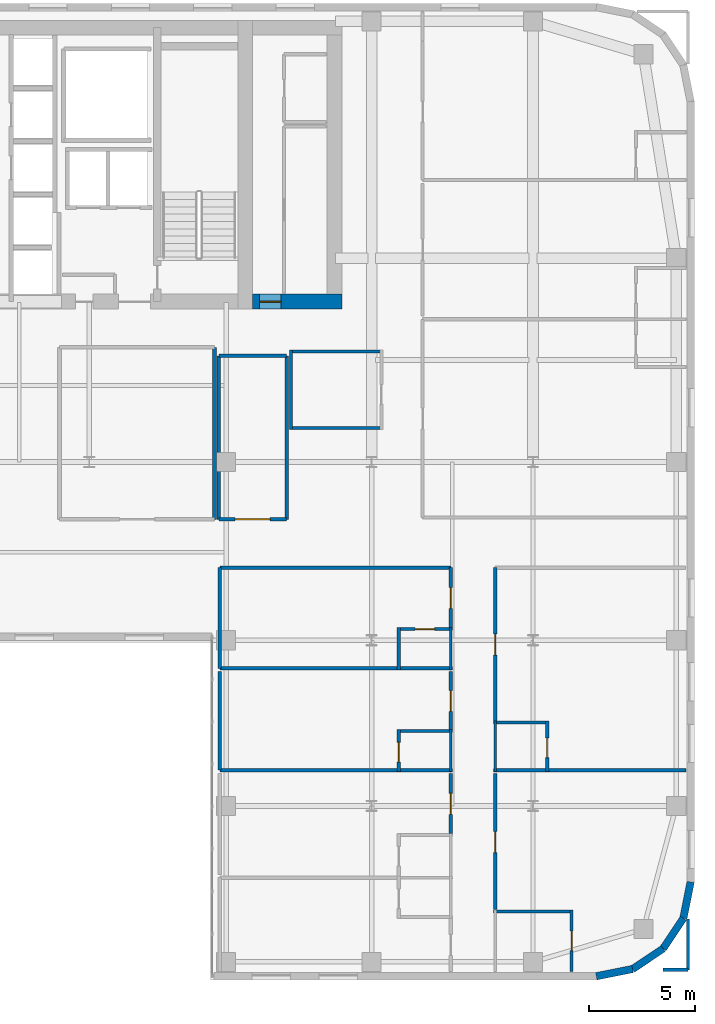
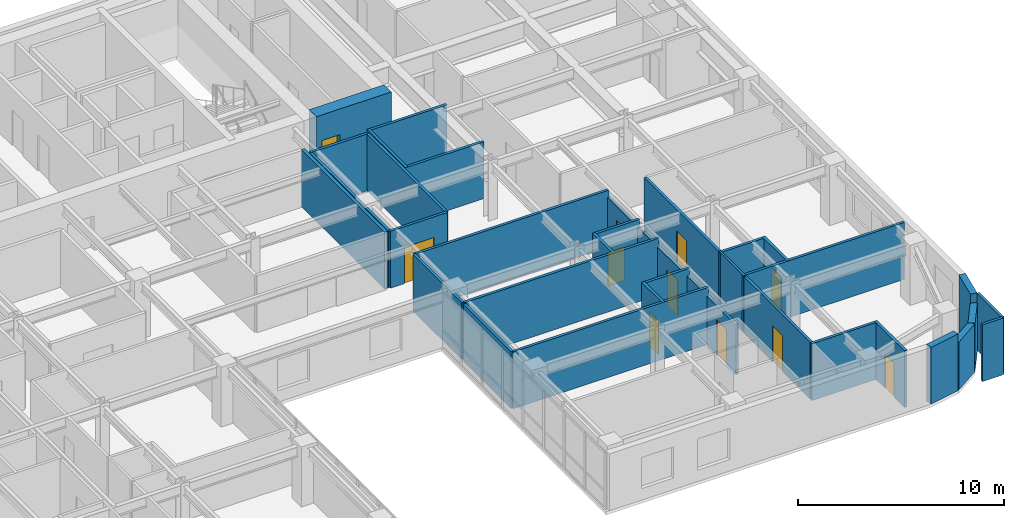
# One storey, part 12 of 16: 37 walls, 11 doors, 11 openings.
"""IFC4 building model written with IfcOpenShell, lengths in metres."""

from ifc_helpers import new_model, si_unit, direction, frame, frame_2d, origin, place, context, subcontext, project, spatial, rectangle, extrude, source, transform, mapped, material, layer, layer_set, type_object, type_shapes, element, fill, save


model = new_model("IFC4")

# Units and contexts
model_context = context("Model", 3, precision=1e-05, world=origin(), true_north=direction((0.0, 1.0)))
body_context = subcontext(model_context, "Body", "Model", "MODEL_VIEW")
ifc_project = project(units=[si_unit("LENGTHUNIT", "METRE"), si_unit("AREAUNIT", "SQUARE_METRE"), si_unit("VOLUMEUNIT", "CUBIC_METRE"), si_unit("PLANEANGLEUNIT", "RADIAN"), si_unit("MASSUNIT", "GRAM", prefix="KILO")], contexts=[model_context])

# Site, building, storey
site_placement = place(None, origin())
site = spatial("IfcSite", under=ifc_project, at=site_placement, CompositionType="ELEMENT")
building_placement = place(site_placement, origin())
building = spatial("IfcBuilding", under=site, at=building_placement, Name="Tolvann Quenvar Hotel", CompositionType="ELEMENT")
storey_placement = place(building_placement, frame((0.0, 0.0, 115.10009765625)))
storey = spatial("IfcBuildingStorey", under=building, at=storey_placement, Name="L29", CompositionType="ELEMENT", Elevation=115.10009765625)

# Wall, opening, door
ifc_material_1 = material(Name="Concrete S65 (65 MPa)", Category="concrete")
ifc_layer_1 = layer(ifc_material_1, 0.699951171875)
ifc_layer_set_1 = layer_set([ifc_layer_1], Name="Concrete S65 (65 MPa)")
wall_type_1 = type_object("IfcWallType", Name="WALL_CORE_700", PredefinedType="SHEAR", material=ifc_layer_set_1)
wall_1_placement = place(storey_placement, frame((36.199951171875, 31.949951171875, 0.0), z_axis=(0.0, 0.0, 1.0), x_axis=(1.0, 0.0, 0.0)))
wall_1 = element("IfcWall", 1, at=wall_1_placement, inside=storey, type_object=wall_type_1, Name="Core East Annex Shear Wall ANN-S (L29)", PredefinedType="SHEAR", context=body_context, shape_type="SweptSolid", body=[
    extrude(rectangle(XDim=4.199951171875, YDim=0.699951171875, at=frame_2d((2.10009765625, 0.0))), origin(), (0.0, 0.0, 1.0), 3.5498046875),
])
opening_1_placement = place(wall_1_placement, frame((1.340087890625, 0.0, 0.0), z_axis=(0.0, 0.0, 1.0), x_axis=(-1.0, 0.0, 0.0)))
opening_1 = element("IfcOpeningElement", 2, at=opening_1_placement, cuts=wall_1, Name="Opening HD-01", PredefinedType="OPENING", context=body_context, shape_type="SweptSolid", body=[
    extrude(rectangle(XDim=1.02001953125, YDim=2.030029296875, at=frame_2d((0.510009765625, 1.01513671875))), frame((0.0, 0.35986328125, 0.0), z_axis=(0.0, -1.0, 0.0), x_axis=(1.0, 0.0, 0.0)), (0.0, 0.0, 1.0), 0.719970703125),
])
ifc_material_2 = material(Name="Pressed galvanised steel fire-rated door set", Category="steel")
door_type_1 = type_object("IfcDoorType", Name="DOOR_BOH_1020", OperationType="NOTDEFINED", PredefinedType="DOOR", material=ifc_material_2)
shared_shape_1 = source(origin(), body_context, "Body", "SweptSolid", [
    extrude(rectangle(XDim=1.02001953125, YDim=2.030029296875, at=frame_2d((0.510009765625, 1.01513671875))), frame((0.0, 0.02490234375, 0.0), z_axis=(0.0, -1.0, 0.0), x_axis=(1.0, 0.0, 0.0)), (0.0, 0.0, 1.0), 0.050048828125),
])
type_shapes(door_type_1, [shared_shape_1])
door_1_placement = place(opening_1_placement, origin())
door_1 = element("IfcDoor", 3, at=door_1_placement, inside=storey, type_object=door_type_1, Name="Housekeeping Annex Fire Door (L29)", OperationType="SINGLE_SWING_LEFT", OverallHeight=2.030029296875, OverallWidth=1.02001953125, PredefinedType="DOOR", context=body_context, shape_type="MappedRepresentation", body=[
    mapped(shared_shape_1, transform((0.0, 0.0, 0.0), x_axis=(1.0, 0.0, 0.0), y_axis=(0.0, 1.0, 0.0), z_axis=(0.0, 0.0, 1.0), scale=1.0)),
])
fill(opening_1, door_1)

# Walls
ifc_material_3 = material(Name="Kiln-fired red and buff architectural clay brickwork and terracotta masonry", Category="masonry")
ifc_layer_2 = layer(ifc_material_3, 0.35009765625)
ifc_layer_set_2 = layer_set([ifc_layer_2], Name="Kiln-fired red and buff architectural clay brickwork and terracotta masonry")
wall_type_2 = type_object("IfcWallType", Name="WALL_EXT_BRICK_350", PredefinedType="SOLIDWALL", material=ifc_layer_set_2)
wall_2_placement = place(storey_placement, frame((52.3828125, 0.175048828125, 0.0), z_axis=(0.0, 0.0, 1.0), x_axis=(0.980800971659, 0.195011420161, 0.0)))
element("IfcWall", 4, at=wall_2_placement, inside=storey, type_object=wall_type_2, Name="Exterior Chicago Brick Wall L29-E09", PredefinedType="SOLIDWALL", context=body_context, shape_type="SweptSolid", body=[
    extrude(rectangle(XDim=1.74267578125, YDim=0.35009765625, at=frame_2d((0.871337890625, 0.0))), origin(), (0.0, 0.0, 1.0), 3.369873046875),
])
for number, where, z_axis, x_axis, name in (
    (5, (54.092041015625, 0.514892578125, 0.0), (0.0, 0.0, 1.0), (0.831483840845, 0.55554893791, 0.0), "Exterior Chicago Brick Wall L29-E10"),
    (6, (55.526611328125, 1.473388671875, 0.0), (0.0, 0.0, 1.0), (0.55554893791, 0.831483840845, 0.0), "Exterior Chicago Brick Wall L29-E11"),
):
    element("IfcWall", number, at=place(storey_placement, frame(where, z_axis=z_axis, x_axis=x_axis)), inside=storey, type_object=wall_type_2, Name=name, PredefinedType="SOLIDWALL", context=body_context, shape_type="SweptSolid", body=[
        extrude(rectangle(XDim=1.725341796875, YDim=0.35009765625, at=frame_2d((0.86279296875, 0.0))), origin(), (0.0, 0.0, 1.0), 2.831787109375),
    ])
wall_3_placement = place(storey_placement, frame((56.485107421875, 2.907958984375, 0.0), z_axis=(0.0, 0.0, 1.0), x_axis=(0.195011420161, 0.980800971659, 0.0)))
element("IfcWall", 7, at=wall_3_placement, inside=storey, type_object=wall_type_2, Name="Exterior Chicago Brick Wall L29-E12", PredefinedType="SOLIDWALL", context=body_context, shape_type="SweptSolid", body=[
    extrude(rectangle(XDim=1.74267578125, YDim=0.35009765625, at=frame_2d((0.871337890625, 0.0))), origin(), (0.0, 0.0, 1.0), 3.369873046875),
])
ifc_material_4 = material(Name="Acoustic twin-stud fire-rated gypsum plasterboard partition")
ifc_layer_3 = layer(ifc_material_4, 0.179931640625)
ifc_layer_set_3 = layer_set([ifc_layer_3], Name="Acoustic twin-stud fire-rated gypsum plasterboard partition")
wall_type_3 = type_object("IfcWallType", Name="WALL_PART_ACOUSTIC_180", PredefinedType="PARTITIONING", material=ifc_layer_set_3)
wall_4_placement = place(storey_placement, frame((34.39990234375, 21.699951171875, 0.0), z_axis=(0.0, 0.0, 1.0), x_axis=(0.0, 1.0, 0.0)))
element("IfcWall", 8, at=wall_4_placement, inside=storey, type_object=wall_type_3, Name="Interior Partition PT-SPC-L29-MSP-C-E", PredefinedType="PARTITIONING", context=body_context, shape_type="SweptSolid", body=[
    extrude(rectangle(XDim=8.10009765625, YDim=0.179931640625, at=frame_2d((4.050048828125, 0.0))), origin(), (0.0, 0.0, 1.0), 3.369873046875),
])
ifc_material_5 = material(Name="Moisture-resistant acoustic plumbing wall assembly")
ifc_layer_4 = layer(ifc_material_5, 0.1201171875)
ifc_layer_set_4 = layer_set([ifc_layer_4], Name="Moisture-resistant acoustic plumbing wall assembly")
wall_type_4 = type_object("IfcWallType", Name="WALL_PART_BATH_120", PredefinedType="PLUMBINGWALL", material=ifc_layer_set_4)
for number, where, z_axis, x_axis, name in (
    (9, (45.530029296875, 9.81005859375, 0.0), (0.0, 0.0, 1.0), (0.0, 1.0, 0.0), "Non-Rated Plumbing Partition PT-SPC-L29-ENS-EI03-E"),
    (10, (45.530029296875, 14.610107421875, 0.0), (0.0, 0.0, 1.0), (0.0, 1.0, 0.0), "Non-Rated Plumbing Partition PT-SPC-L29-ENS-EI04-E"),
):
    element("IfcWall", number, at=place(storey_placement, frame(where, z_axis=z_axis, x_axis=x_axis)), inside=storey, type_object=wall_type_4, Name=name, PredefinedType="PLUMBINGWALL", context=body_context, shape_type="SweptSolid", body=[
        extrude(rectangle(XDim=1.989990234375, YDim=0.1201171875, at=frame_2d((0.9951171875, 0.0))), origin(), (0.0, 0.0, 1.0), 2.953857421875),
    ])
wall_5_placement = place(storey_placement, frame((47.6201171875, 9.81005859375, 0.0), z_axis=(0.0, 0.0, 1.0), x_axis=(0.0, 1.0, 0.0)))
element("IfcWall", 11, at=wall_5_placement, inside=storey, type_object=wall_type_4, Name="Non-Rated Plumbing Partition PT-SPC-L29-ENS-EO02-W", PredefinedType="PLUMBINGWALL", context=body_context, shape_type="SweptSolid", body=[
    extrude(rectangle(XDim=2.389892578125, YDim=0.1201171875, at=frame_2d((1.19482421875, 0.0))), origin(), (0.0, 0.0, 1.0), 3.369873046875),
])

# Wall, opening, door
ifc_layer_5 = layer(ifc_material_4, 0.14990234375)
ifc_layer_set_5 = layer_set([ifc_layer_5], Name="Acoustic twin-stud fire-rated gypsum plasterboard partition")
wall_type_5 = type_object("IfcWallType", Name="WALL_PART_SUITE_150", PredefinedType="PARTITIONING", material=ifc_layer_set_5)
wall_6_placement = place(storey_placement, frame((43.080078125, 9.81005859375, 0.0), z_axis=(0.0, 0.0, 1.0), x_axis=(0.0, 1.0, 0.0)))
wall_6 = element("IfcWall", 12, at=wall_6_placement, inside=storey, type_object=wall_type_5, Name="Interior Partition PT-SPC-L29-ENS-EI03-ENT", PredefinedType="PARTITIONING", context=body_context, shape_type="SweptSolid", body=[
    extrude(rectangle(XDim=1.989990234375, YDim=0.14990234375, at=frame_2d((0.9951171875, 0.0))), origin(), (0.0, 0.0, 1.0), 3.369873046875),
])
opening_2_placement = place(wall_6_placement, frame((0.465087890625, 0.0, 0.0)))
opening_2 = element("IfcOpeningElement", 13, at=opening_2_placement, cuts=wall_6, Name="Opening WD-01", PredefinedType="OPENING", context=body_context, shape_type="SweptSolid", body=[
    extrude(rectangle(XDim=0.919921875, YDim=2.010009765625, at=frame_2d((0.4599609375, 1.0048828125))), frame((0.0, 0.0849609375, 0.0), z_axis=(0.0, -1.0, 0.0), x_axis=(1.0, 0.0, 0.0)), (0.0, 0.0, 1.0), 0.169921875),
])
ifc_material_6 = material(Name="Solid-core American oak acoustic fire door leaf in steel frame", Category="steel")
door_type_2 = type_object("IfcDoorType", Name="DOOR_WC_920", OperationType="NOTDEFINED", PredefinedType="DOOR", material=ifc_material_6)
shared_shape_2 = source(origin(), body_context, "Body", "SweptSolid", [
    extrude(rectangle(XDim=0.919921875, YDim=2.010009765625, at=frame_2d((0.4599609375, 1.0048828125))), frame((0.0, 0.02490234375, 0.0), z_axis=(0.0, -1.0, 0.0), x_axis=(1.0, 0.0, 0.0)), (0.0, 0.0, 1.0), 0.050048828125),
])
type_shapes(door_type_2, [shared_shape_2])
door_2_placement = place(opening_2_placement, origin())
door_2 = element("IfcDoor", 14, at=door_2_placement, inside=storey, type_object=door_type_2, Name="Interior Door DOOR-SPC-L29-ENS-EI03", OperationType="SINGLE_SWING_RIGHT", OverallHeight=2.010009765625, OverallWidth=0.919921875, PredefinedType="DOOR", context=body_context, shape_type="MappedRepresentation", body=[
    mapped(shared_shape_2, transform((0.0, 0.0, 0.0), x_axis=(1.0, 0.0, 0.0), y_axis=(0.0, 1.0, 0.0), z_axis=(0.0, 0.0, 1.0), scale=1.0)),
])
fill(opening_2, door_2)

# Walls
wall_7_placement = place(storey_placement, frame((34.64990234375, 9.8798828125, 0.0), z_axis=(0.0, 0.0, 1.0), x_axis=(1.0, 0.0, 0.0)))
element("IfcWall", 15, at=wall_7_placement, inside=storey, type_object=wall_type_5, Name="Interior Partition PT-SPC-L29-ENS-EI03-S", PredefinedType="PARTITIONING", context=body_context, shape_type="SweptSolid", body=[
    extrude(rectangle(XDim=10.9501953125, YDim=0.14990234375, at=frame_2d((5.47509765625, 0.0))), origin(), (0.0, 0.0, 1.0), 3.369873046875),
])
wall_8_placement = place(storey_placement, frame((43.010009765625, 11.72998046875, 0.0), z_axis=(0.0, 0.0, 1.0), x_axis=(1.0, 0.0, 0.0)))
element("IfcWall", 16, at=wall_8_placement, inside=storey, type_object=wall_type_5, Name="Interior Partition PT-SPC-L29-ENS-EI03-N", PredefinedType="PARTITIONING", context=body_context, shape_type="SweptSolid", body=[
    extrude(rectangle(XDim=2.590087890625, YDim=0.14990234375, at=frame_2d((1.294921875, 0.0))), origin(), (0.0, 0.0, 1.0), 3.369873046875),
])
wall_9_placement = place(storey_placement, frame((43.080078125, 14.610107421875, 0.0), z_axis=(0.0, 0.0, 1.0), x_axis=(0.0, 1.0, 0.0)))
element("IfcWall", 17, at=wall_9_placement, inside=storey, type_object=wall_type_5, Name="Interior Partition PT-SPC-L29-ENS-EI04-ENT", PredefinedType="PARTITIONING", context=body_context, shape_type="SweptSolid", body=[
    extrude(rectangle(XDim=1.989990234375, YDim=0.14990234375, at=frame_2d((0.9951171875, 0.0))), origin(), (0.0, 0.0, 1.0), 3.369873046875),
])
wall_10_placement = place(storey_placement, frame((34.64990234375, 14.679931640625, 0.0), z_axis=(0.0, 0.0, 1.0), x_axis=(1.0, 0.0, 0.0)))
element("IfcWall", 18, at=wall_10_placement, inside=storey, type_object=wall_type_5, Name="Interior Partition PT-SPC-L29-ENS-EI04-S", PredefinedType="PARTITIONING", context=body_context, shape_type="SweptSolid", body=[
    extrude(rectangle(XDim=10.9501953125, YDim=0.14990234375, at=frame_2d((5.47509765625, 0.0))), origin(), (0.0, 0.0, 1.0), 3.369873046875),
])

# Wall, opening, door
wall_11_placement = place(storey_placement, frame((43.010009765625, 16.530029296875, 0.0), z_axis=(0.0, 0.0, 1.0), x_axis=(1.0, 0.0, 0.0)))
wall_11 = element("IfcWall", 19, at=wall_11_placement, inside=storey, type_object=wall_type_5, Name="Interior Partition PT-SPC-L29-ENS-EI04-N", PredefinedType="PARTITIONING", context=body_context, shape_type="SweptSolid", body=[
    extrude(rectangle(XDim=2.590087890625, YDim=0.14990234375, at=frame_2d((1.294921875, 0.0))), origin(), (0.0, 0.0, 1.0), 3.369873046875),
])
opening_3_placement = place(wall_11_placement, frame((0.8349609375, 0.0, 0.0)))
opening_3 = element("IfcOpeningElement", 20, at=opening_3_placement, cuts=wall_11, Name="Opening WD-01", PredefinedType="OPENING", context=body_context, shape_type="SweptSolid", body=[
    extrude(rectangle(XDim=0.919921875, YDim=2.010009765625, at=frame_2d((0.4599609375, 1.0048828125))), frame((0.0, 0.0849609375, 0.0), z_axis=(0.0, -1.0, 0.0), x_axis=(1.0, 0.0, 0.0)), (0.0, 0.0, 1.0), 0.169921875),
])
door_3_placement = place(opening_3_placement, origin())
door_3 = element("IfcDoor", 21, at=door_3_placement, inside=storey, type_object=door_type_2, Name="Interior Door DOOR-SPC-L29-ENS-EI04", OperationType="SINGLE_SWING_LEFT", OverallHeight=2.010009765625, OverallWidth=0.919921875, PredefinedType="DOOR", context=body_context, shape_type="MappedRepresentation", body=[
    mapped(shared_shape_2, transform((0.0, 0.0, 0.0), x_axis=(1.0, 0.0, 0.0), y_axis=(0.0, 1.0, 0.0), z_axis=(0.0, 0.0, 1.0), scale=1.0)),
])
fill(opening_3, door_3)

wall_12_placement = place(storey_placement, frame((51.219970703125, 0.405029296875, 0.0), z_axis=(0.0, 0.0, 1.0), x_axis=(0.0, 1.0, 0.0)))
wall_12 = element("IfcWall", 22, at=wall_12_placement, inside=storey, type_object=wall_type_5, Name="Interior Partition PT-SPC-L29-ENS-EO01-ENT", PredefinedType="PARTITIONING", context=body_context, shape_type="SweptSolid", body=[
    extrude(rectangle(XDim=2.89501953125, YDim=0.14990234375, at=frame_2d((1.447509765625, 0.0))), origin(), (0.0, 0.0, 1.0), 3.369873046875),
])
opening_4_placement = place(wall_12_placement, frame((0.97998046875, 0.0, 0.0)))
opening_4 = element("IfcOpeningElement", 23, at=opening_4_placement, cuts=wall_12, Name="Opening WD-01", PredefinedType="OPENING", context=body_context, shape_type="SweptSolid", body=[
    extrude(rectangle(XDim=0.919921875, YDim=2.010009765625, at=frame_2d((0.4599609375, 1.0048828125))), frame((0.0, 0.0849609375, 0.0), z_axis=(0.0, -1.0, 0.0), x_axis=(1.0, 0.0, 0.0)), (0.0, 0.0, 1.0), 0.169921875),
])
door_4_placement = place(opening_4_placement, origin())
door_4 = element("IfcDoor", 24, at=door_4_placement, inside=storey, type_object=door_type_2, Name="Interior Door DOOR-SPC-L29-ENS-EO01", OperationType="SINGLE_SWING_RIGHT", OverallHeight=2.010009765625, OverallWidth=0.919921875, PredefinedType="DOOR", context=body_context, shape_type="MappedRepresentation", body=[
    mapped(shared_shape_2, transform((0.0, 0.0, 0.0), x_axis=(1.0, 0.0, 0.0), y_axis=(0.0, 1.0, 0.0), z_axis=(0.0, 0.0, 1.0), scale=1.0)),
])
fill(opening_4, door_4)

# Wall
wall_13_placement = place(storey_placement, frame((47.550048828125, 3.22998046875, 0.0), z_axis=(0.0, 0.0, 1.0), x_axis=(1.0, 0.0, 0.0)))
element("IfcWall", 25, at=wall_13_placement, inside=storey, type_object=wall_type_5, Name="Interior Partition PT-SPC-L29-ENS-EO01-N", PredefinedType="PARTITIONING", context=body_context, shape_type="SweptSolid", body=[
    extrude(rectangle(XDim=3.739990234375, YDim=0.14990234375, at=frame_2d((1.8701171875, 0.0))), origin(), (0.0, 0.0, 1.0), 3.369873046875),
])

# Wall, opening, door
wall_14_placement = place(storey_placement, frame((50.070068359375, 9.81005859375, 0.0), z_axis=(0.0, 0.0, 1.0), x_axis=(0.0, 1.0, 0.0)))
wall_14 = element("IfcWall", 26, at=wall_14_placement, inside=storey, type_object=wall_type_5, Name="Interior Partition PT-SPC-L29-ENS-EO02-ENT", PredefinedType="PARTITIONING", context=body_context, shape_type="SweptSolid", body=[
    extrude(rectangle(XDim=2.389892578125, YDim=0.14990234375, at=frame_2d((1.19482421875, 0.0))), origin(), (0.0, 0.0, 1.0), 3.369873046875),
])
opening_5_placement = place(wall_14_placement, frame((0.6650390625, 0.0, 0.0)))
opening_5 = element("IfcOpeningElement", 27, at=opening_5_placement, cuts=wall_14, Name="Opening WD-01", PredefinedType="OPENING", context=body_context, shape_type="SweptSolid", body=[
    extrude(rectangle(XDim=0.919921875, YDim=2.010009765625, at=frame_2d((0.4599609375, 1.0048828125))), frame((0.0, 0.0849609375, 0.0), z_axis=(0.0, -1.0, 0.0), x_axis=(1.0, 0.0, 0.0)), (0.0, 0.0, 1.0), 0.169921875),
])
door_5_placement = place(opening_5_placement, origin())
door_5 = element("IfcDoor", 28, at=door_5_placement, inside=storey, type_object=door_type_2, Name="Interior Door DOOR-SPC-L29-ENS-EO02", OperationType="SINGLE_SWING_LEFT", OverallHeight=2.010009765625, OverallWidth=0.919921875, PredefinedType="DOOR", context=body_context, shape_type="MappedRepresentation", body=[
    mapped(shared_shape_2, transform((0.0, 0.0, 0.0), x_axis=(1.0, 0.0, 0.0), y_axis=(0.0, 1.0, 0.0), z_axis=(0.0, 0.0, 1.0), scale=1.0)),
])
fill(opening_5, door_5)

# Walls
wall_15_placement = place(storey_placement, frame((47.550048828125, 9.8798828125, 0.0), z_axis=(0.0, 0.0, 1.0), x_axis=(1.0, 0.0, 0.0)))
element("IfcWall", 29, at=wall_15_placement, inside=storey, type_object=wall_type_5, Name="Interior Partition PT-SPC-L29-ENS-EO02-S", PredefinedType="PARTITIONING", context=body_context, shape_type="SweptSolid", body=[
    extrude(rectangle(XDim=9.044921875, YDim=0.14990234375, at=frame_2d((4.5224609375, 0.0))), origin(), (0.0, 0.0, 1.0), 3.369873046875),
])
wall_16_placement = place(storey_placement, frame((47.550048828125, 12.1298828125, 0.0), z_axis=(0.0, 0.0, 1.0), x_axis=(1.0, 0.0, 0.0)))
element("IfcWall", 30, at=wall_16_placement, inside=storey, type_object=wall_type_5, Name="Interior Partition PT-SPC-L29-ENS-EO02-N", PredefinedType="PARTITIONING", context=body_context, shape_type="SweptSolid", body=[
    extrude(rectangle(XDim=2.58984375, YDim=0.14990234375, at=frame_2d((1.294921875, 0.0))), origin(), (0.0, 0.0, 1.0), 3.369873046875),
])

# Wall, opening, door
wall_17_placement = place(storey_placement, frame((45.530029296875, 6.909912109375, 0.0), z_axis=(0.0, 0.0, 1.0), x_axis=(0.0, 1.0, 0.0)))
wall_17 = element("IfcWall", 31, at=wall_17_placement, inside=storey, type_object=wall_type_5, Name="Interior Partition PT-SPC-L29-RM-EI02-ENT", PredefinedType="PARTITIONING", context=body_context, shape_type="SweptSolid", body=[
    extrude(rectangle(XDim=2.81005859375, YDim=0.14990234375, at=frame_2d((1.405029296875, 0.0))), origin(), (0.0, 0.0, 1.0), 2.953857421875),
])
opening_6_placement = place(wall_17_placement, frame((0.89501953125, 0.0, 0.0)))
opening_6 = element("IfcOpeningElement", 32, at=opening_6_placement, cuts=wall_17, Name="Opening SD-01", PredefinedType="OPENING", context=body_context, shape_type="SweptSolid", body=[
    extrude(rectangle(XDim=0.97998046875, YDim=2.1201171875, at=frame_2d((0.489990234375, 1.06005859375))), frame((0.0, 0.0849609375, 0.0), z_axis=(0.0, -1.0, 0.0), x_axis=(1.0, 0.0, 0.0)), (0.0, 0.0, 1.0), 0.169921875),
])
door_type_3 = type_object("IfcDoorType", Name="DOOR_SUITE_980", OperationType="NOTDEFINED", PredefinedType="DOOR", material=ifc_material_6)
shared_shape_3 = source(origin(), body_context, "Body", "SweptSolid", [
    extrude(rectangle(XDim=0.97998046875, YDim=2.1201171875, at=frame_2d((0.489990234375, 1.06005859375))), frame((0.0, 0.02490234375, 0.0), z_axis=(0.0, -1.0, 0.0), x_axis=(1.0, 0.0, 0.0)), (0.0, 0.0, 1.0), 0.050048828125),
])
type_shapes(door_type_3, [shared_shape_3])
door_6_placement = place(opening_6_placement, origin())
door_6 = element("IfcDoor", 33, at=door_6_placement, inside=storey, type_object=door_type_3, Name="Interior Door DOOR-SPC-L29-RM-EI02", OperationType="SINGLE_SWING_LEFT", OverallHeight=2.1201171875, OverallWidth=0.97998046875, PredefinedType="DOOR", context=body_context, shape_type="MappedRepresentation", body=[
    mapped(shared_shape_3, transform((0.0, 0.0, 0.0), x_axis=(1.0, 0.0, 0.0), y_axis=(0.0, 1.0, 0.0), z_axis=(0.0, 0.0, 1.0), scale=1.0)),
])
fill(opening_6, door_6)

wall_18_placement = place(storey_placement, frame((45.530029296875, 11.81005859375, 0.0), z_axis=(0.0, 0.0, 1.0), x_axis=(0.0, 1.0, 0.0)))
wall_18 = element("IfcWall", 34, at=wall_18_placement, inside=storey, type_object=wall_type_5, Name="Interior Partition PT-SPC-L29-RM-EI03-ENT", PredefinedType="PARTITIONING", context=body_context, shape_type="SweptSolid", body=[
    extrude(rectangle(XDim=2.7099609375, YDim=0.14990234375, at=frame_2d((1.35498046875, 0.0))), origin(), (0.0, 0.0, 1.0), 2.953857421875),
])
opening_7_placement = place(wall_18_placement, frame((0.844970703125, 0.0, 0.0)))
opening_7 = element("IfcOpeningElement", 35, at=opening_7_placement, cuts=wall_18, Name="Opening SD-01", PredefinedType="OPENING", context=body_context, shape_type="SweptSolid", body=[
    extrude(rectangle(XDim=0.97998046875, YDim=2.1201171875, at=frame_2d((0.489990234375, 1.06005859375))), frame((0.0, 0.0849609375, 0.0), z_axis=(0.0, -1.0, 0.0), x_axis=(1.0, 0.0, 0.0)), (0.0, 0.0, 1.0), 0.169921875),
])
door_7_placement = place(opening_7_placement, origin())
door_7 = element("IfcDoor", 36, at=door_7_placement, inside=storey, type_object=door_type_3, Name="Interior Door DOOR-SPC-L29-RM-EI03", OperationType="SINGLE_SWING_RIGHT", OverallHeight=2.1201171875, OverallWidth=0.97998046875, PredefinedType="DOOR", context=body_context, shape_type="MappedRepresentation", body=[
    mapped(shared_shape_3, transform((0.0, 0.0, 0.0), x_axis=(1.0, 0.0, 0.0), y_axis=(0.0, 1.0, 0.0), z_axis=(0.0, 0.0, 1.0), scale=1.0)),
])
fill(opening_7, door_7)

# Wall
wall_19_placement = place(storey_placement, frame((34.64990234375, 9.8798828125, 0.0), z_axis=(0.0, 0.0, 1.0), x_axis=(0.0, 1.0, 0.0)))
element("IfcWall", 37, at=wall_19_placement, inside=storey, type_object=wall_type_5, Name="Interior Partition PT-SPC-L29-RM-EI03-E6", PredefinedType="PARTITIONING", context=body_context, shape_type="SweptSolid", body=[
    extrude(rectangle(XDim=4.64013671875, YDim=0.14990234375, at=frame_2d((2.320068359375, 0.0))), origin(), (0.0, 0.0, 1.0), 3.369873046875),
])

# Wall, opening, door
wall_20_placement = place(storey_placement, frame((45.530029296875, 16.610107421875, 0.0), z_axis=(0.0, 0.0, 1.0), x_axis=(0.0, 1.0, 0.0)))
wall_20 = element("IfcWall", 38, at=wall_20_placement, inside=storey, type_object=wall_type_5, Name="Interior Partition PT-SPC-L29-RM-EI04-ENT", PredefinedType="PARTITIONING", context=body_context, shape_type="SweptSolid", body=[
    extrude(rectangle(XDim=2.809814453125, YDim=0.14990234375, at=frame_2d((1.40478515625, 0.0))), origin(), (0.0, 0.0, 1.0), 2.953857421875),
])
opening_8_placement = place(wall_20_placement, frame((0.89501953125, 0.0, 0.0)))
opening_8 = element("IfcOpeningElement", 39, at=opening_8_placement, cuts=wall_20, Name="Opening SD-01", PredefinedType="OPENING", context=body_context, shape_type="SweptSolid", body=[
    extrude(rectangle(XDim=0.97998046875, YDim=2.1201171875, at=frame_2d((0.489990234375, 1.06005859375))), frame((0.0, 0.0849609375, 0.0), z_axis=(0.0, -1.0, 0.0), x_axis=(1.0, 0.0, 0.0)), (0.0, 0.0, 1.0), 0.169921875),
])
door_8_placement = place(opening_8_placement, origin())
door_8 = element("IfcDoor", 40, at=door_8_placement, inside=storey, type_object=door_type_3, Name="Interior Door DOOR-SPC-L29-RM-EI04", OperationType="SINGLE_SWING_LEFT", OverallHeight=2.1201171875, OverallWidth=0.97998046875, PredefinedType="DOOR", context=body_context, shape_type="MappedRepresentation", body=[
    mapped(shared_shape_3, transform((0.0, 0.0, 0.0), x_axis=(1.0, 0.0, 0.0), y_axis=(0.0, 1.0, 0.0), z_axis=(0.0, 0.0, 1.0), scale=1.0)),
])
fill(opening_8, door_8)

# Walls
wall_21_placement = place(storey_placement, frame((34.64990234375, 19.419921875, 0.0), z_axis=(0.0, 0.0, 1.0), x_axis=(1.0, 0.0, 0.0)))
element("IfcWall", 41, at=wall_21_placement, inside=storey, type_object=wall_type_5, Name="Interior Partition PT-SPC-L29-RM-EI04-E5", PredefinedType="PARTITIONING", context=body_context, shape_type="SweptSolid", body=[
    extrude(rectangle(XDim=10.880126953125, YDim=0.14990234375, at=frame_2d((5.43994140625, 0.0))), origin(), (0.0, 0.0, 1.0), 3.369873046875),
])
wall_22_placement = place(storey_placement, frame((34.64990234375, 14.679931640625, 0.0), z_axis=(0.0, 0.0, 1.0), x_axis=(0.0, 1.0, 0.0)))
element("IfcWall", 42, at=wall_22_placement, inside=storey, type_object=wall_type_5, Name="Interior Partition PT-SPC-L29-RM-EI04-E6", PredefinedType="PARTITIONING", context=body_context, shape_type="SweptSolid", body=[
    extrude(rectangle(XDim=4.739990234375, YDim=0.14990234375, at=frame_2d((2.3701171875, 0.0))), origin(), (0.0, 0.0, 1.0), 3.369873046875),
])

# Wall, opening, door
wall_23_placement = place(storey_placement, frame((47.6201171875, 3.31005859375, 0.0), z_axis=(0.0, 0.0, 1.0), x_axis=(0.0, 1.0, 0.0)))
wall_23 = element("IfcWall", 43, at=wall_23_placement, inside=storey, type_object=wall_type_5, Name="Interior Partition PT-SPC-L29-RM-EO01-ENT", PredefinedType="PARTITIONING", context=body_context, shape_type="SweptSolid", body=[
    extrude(rectangle(XDim=6.409912109375, YDim=0.14990234375, at=frame_2d((3.205078125, 0.0))), origin(), (0.0, 0.0, 1.0), 3.369873046875),
])
opening_9_placement = place(wall_23_placement, frame((2.695068359375, 0.0, 0.0)))
opening_9 = element("IfcOpeningElement", 44, at=opening_9_placement, cuts=wall_23, Name="Opening SD-01", PredefinedType="OPENING", context=body_context, shape_type="SweptSolid", body=[
    extrude(rectangle(XDim=0.97998046875, YDim=2.1201171875, at=frame_2d((0.489990234375, 1.06005859375))), frame((0.0, 0.0849609375, 0.0), z_axis=(0.0, -1.0, 0.0), x_axis=(1.0, 0.0, 0.0)), (0.0, 0.0, 1.0), 0.169921875),
])
door_9_placement = place(opening_9_placement, origin())
door_9 = element("IfcDoor", 45, at=door_9_placement, inside=storey, type_object=door_type_3, Name="Interior Door DOOR-SPC-L29-RM-EO01", OperationType="SINGLE_SWING_RIGHT", OverallHeight=2.1201171875, OverallWidth=0.97998046875, PredefinedType="DOOR", context=body_context, shape_type="MappedRepresentation", body=[
    mapped(shared_shape_3, transform((0.0, 0.0, 0.0), x_axis=(1.0, 0.0, 0.0), y_axis=(0.0, 1.0, 0.0), z_axis=(0.0, 0.0, 1.0), scale=1.0)),
])
fill(opening_9, door_9)

# Walls
wall_24_placement = place(storey_placement, frame((55.52587890625, 0.47998046875, 0.0), z_axis=(0.0, 0.0, 1.0), x_axis=(1.0, 0.0, 0.0)))
element("IfcWall", 46, at=wall_24_placement, inside=storey, type_object=wall_type_5, Name="Interior Partition PT-SPC-L29-RM-EO01-E3", PredefinedType="PARTITIONING", context=body_context, shape_type="SweptSolid", body=[
    extrude(rectangle(XDim=1.174072265625, YDim=0.14990234375, at=frame_2d((0.5869140625, 0.0))), origin(), (0.0, 0.0, 1.0), 3.369873046875),
])
wall_25_placement = place(storey_placement, frame((56.699951171875, 0.47998046875, 0.0), z_axis=(0.0, 0.0, 1.0), x_axis=(0.0, 1.0, 0.0)))
element("IfcWall", 47, at=wall_25_placement, inside=storey, type_object=wall_type_5, Name="Interior Partition PT-SPC-L29-RM-EO01-E4", PredefinedType="PARTITIONING", context=body_context, shape_type="SweptSolid", body=[
    extrude(rectangle(XDim=2.385009765625, YDim=0.14990234375, at=frame_2d((1.1923828125, 0.0))), origin(), (0.0, 0.0, 1.0), 3.369873046875),
])

# Wall, opening, door
wall_26_placement = place(storey_placement, frame((47.6201171875, 12.2099609375, 0.0), z_axis=(0.0, 0.0, 1.0), x_axis=(0.0, 1.0, 0.0)))
wall_26 = element("IfcWall", 48, at=wall_26_placement, inside=storey, type_object=wall_type_5, Name="Interior Partition PT-SPC-L29-RM-EO02-ENT", PredefinedType="PARTITIONING", context=body_context, shape_type="SweptSolid", body=[
    extrude(rectangle(XDim=7.2099609375, YDim=0.14990234375, at=frame_2d((3.60498046875, 0.0))), origin(), (0.0, 0.0, 1.0), 3.369873046875),
])
opening_10_placement = place(wall_26_placement, frame((3.094970703125, 0.0, 0.0)))
opening_10 = element("IfcOpeningElement", 49, at=opening_10_placement, cuts=wall_26, Name="Opening SD-01", PredefinedType="OPENING", context=body_context, shape_type="SweptSolid", body=[
    extrude(rectangle(XDim=0.97998046875, YDim=2.1201171875, at=frame_2d((0.489990234375, 1.06005859375))), frame((0.0, 0.0849609375, 0.0), z_axis=(0.0, -1.0, 0.0), x_axis=(1.0, 0.0, 0.0)), (0.0, 0.0, 1.0), 0.169921875),
])
door_10_placement = place(opening_10_placement, origin())
door_10 = element("IfcDoor", 50, at=door_10_placement, inside=storey, type_object=door_type_3, Name="Interior Door DOOR-SPC-L29-RM-EO02", OperationType="SINGLE_SWING_LEFT", OverallHeight=2.1201171875, OverallWidth=0.97998046875, PredefinedType="DOOR", context=body_context, shape_type="MappedRepresentation", body=[
    mapped(shared_shape_3, transform((0.0, 0.0, 0.0), x_axis=(1.0, 0.0, 0.0), y_axis=(0.0, 1.0, 0.0), z_axis=(0.0, 0.0, 1.0), scale=1.0)),
])
fill(opening_10, door_10)

# Walls
for number, where, z_axis, x_axis, name in (
    (51, (37.929931640625, 26.0, 0.0), (0.0, 0.0, 1.0), (1.0, 0.0, 0.0), "Interior Partition PT-SPC-L29-WCA-S"),
    (52, (37.929931640625, 29.60009765625, 0.0), (0.0, 0.0, 1.0), (1.0, 0.0, 0.0), "Interior Partition PT-SPC-L29-WCA-N"),
):
    element("IfcWall", number, at=place(storey_placement, frame(where, z_axis=z_axis, x_axis=x_axis)), inside=storey, type_object=wall_type_5, Name=name, PredefinedType="PARTITIONING", context=body_context, shape_type="SweptSolid", body=[
        extrude(rectangle(XDim=4.400146484375, YDim=0.14990234375, at=frame_2d((2.2001953125, 0.0))), origin(), (0.0, 0.0, 1.0), 3.369873046875),
    ])
wall_27_placement = place(storey_placement, frame((38.0, 25.929931640625, 0.0), z_axis=(0.0, 0.0, 1.0), x_axis=(0.0, 1.0, 0.0)))
element("IfcWall", 53, at=wall_27_placement, inside=storey, type_object=wall_type_5, Name="Interior Partition PT-SPC-L29-WCA-W", PredefinedType="PARTITIONING", context=body_context, shape_type="SweptSolid", body=[
    extrude(rectangle(XDim=3.739990234375, YDim=0.14990234375, at=frame_2d((1.8701171875, 0.0))), origin(), (0.0, 0.0, 1.0), 3.369873046875),
])

# Wall, opening, door
wall_28_placement = place(storey_placement, frame((34.60009765625, 21.699951171875, 0.0), z_axis=(0.0, 0.0, 1.0), x_axis=(1.0, 0.0, 0.0)))
wall_28 = element("IfcWall", 54, at=wall_28_placement, inside=storey, type_object=wall_type_5, Name="Interior Partition PT-SPC-L29-MSP-E-S", PredefinedType="PARTITIONING", context=body_context, shape_type="SweptSolid", body=[
    extrude(rectangle(XDim=3.199951171875, YDim=0.14990234375, at=frame_2d((1.60009765625, 0.0))), origin(), (0.0, 0.0, 1.0), 3.369873046875),
])
opening_11_placement = place(wall_28_placement, frame((0.77490234375, 0.0, 0.0)))
opening_11 = element("IfcOpeningElement", 55, at=opening_11_placement, cuts=wall_28, Name="Opening AD-01", PredefinedType="OPENING", context=body_context, shape_type="SweptSolid", body=[
    extrude(rectangle(XDim=1.64990234375, YDim=2.14990234375, at=frame_2d((0.824951171875, 1.074951171875))), frame((0.0, 0.0849609375, 0.0), z_axis=(0.0, -1.0, 0.0), x_axis=(1.0, 0.0, 0.0)), (0.0, 0.0, 1.0), 0.169921875),
])
door_type_4 = type_object("IfcDoorType", Name="DOOR_SALON_1650", OperationType="NOTDEFINED", PredefinedType="DOOR", material=ifc_material_6)
shared_shape_4 = source(origin(), body_context, "Body", "SweptSolid", [
    extrude(rectangle(XDim=1.64990234375, YDim=2.14990234375, at=frame_2d((0.824951171875, 1.074951171875))), frame((0.0, 0.02490234375, 0.0), z_axis=(0.0, -1.0, 0.0), x_axis=(1.0, 0.0, 0.0)), (0.0, 0.0, 1.0), 0.050048828125),
])
type_shapes(door_type_4, [shared_shape_4])
door_11_placement = place(opening_11_placement, origin())
door_11 = element("IfcDoor", 56, at=door_11_placement, inside=storey, type_object=door_type_4, Name="Interior Door DOOR-SPC-L29-MSP-E", OperationType="DOUBLE_DOOR_SINGLE_SWING", OverallHeight=2.14990234375, OverallWidth=1.64990234375, PredefinedType="DOOR", context=body_context, shape_type="MappedRepresentation", body=[
    mapped(shared_shape_4, transform((0.0, 0.0, 0.0), x_axis=(1.0, 0.0, 0.0), y_axis=(0.0, 1.0, 0.0), z_axis=(0.0, 0.0, 1.0), scale=1.0)),
])
fill(opening_11, door_11)

# Walls
wall_29_placement = place(storey_placement, frame((34.60009765625, 29.39990234375, 0.0), z_axis=(0.0, 0.0, 1.0), x_axis=(1.0, 0.0, 0.0)))
element("IfcWall", 57, at=wall_29_placement, inside=storey, type_object=wall_type_5, Name="Interior Partition PT-SPC-L29-MSP-E-N", PredefinedType="PARTITIONING", context=body_context, shape_type="SweptSolid", body=[
    extrude(rectangle(XDim=3.199951171875, YDim=0.14990234375, at=frame_2d((1.60009765625, 0.0))), origin(), (0.0, 0.0, 1.0), 3.369873046875),
])
for number, where, z_axis, x_axis, name in (
    (58, (34.60009765625, 21.699951171875, 0.0), (0.0, 0.0, 1.0), (0.0, 1.0, 0.0), "Interior Partition PT-SPC-L29-MSP-E-W"),
    (59, (37.800048828125, 21.699951171875, 0.0), (0.0, 0.0, 1.0), (0.0, 1.0, 0.0), "Interior Partition PT-SPC-L29-MSP-E-E"),
):
    element("IfcWall", number, at=place(storey_placement, frame(where, z_axis=z_axis, x_axis=x_axis)), inside=storey, type_object=wall_type_5, Name=name, PredefinedType="PARTITIONING", context=body_context, shape_type="SweptSolid", body=[
        extrude(rectangle(XDim=7.699951171875, YDim=0.14990234375, at=frame_2d((3.85009765625, 0.0))), origin(), (0.0, 0.0, 1.0), 3.369873046875),
    ])

save(model, "model.ifc")
